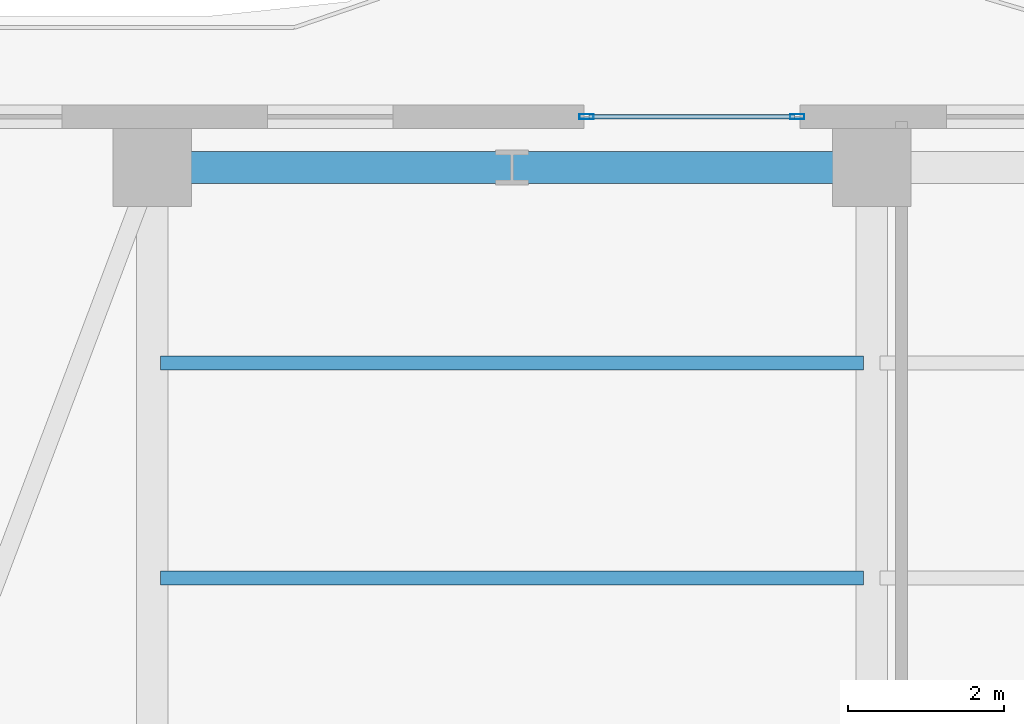
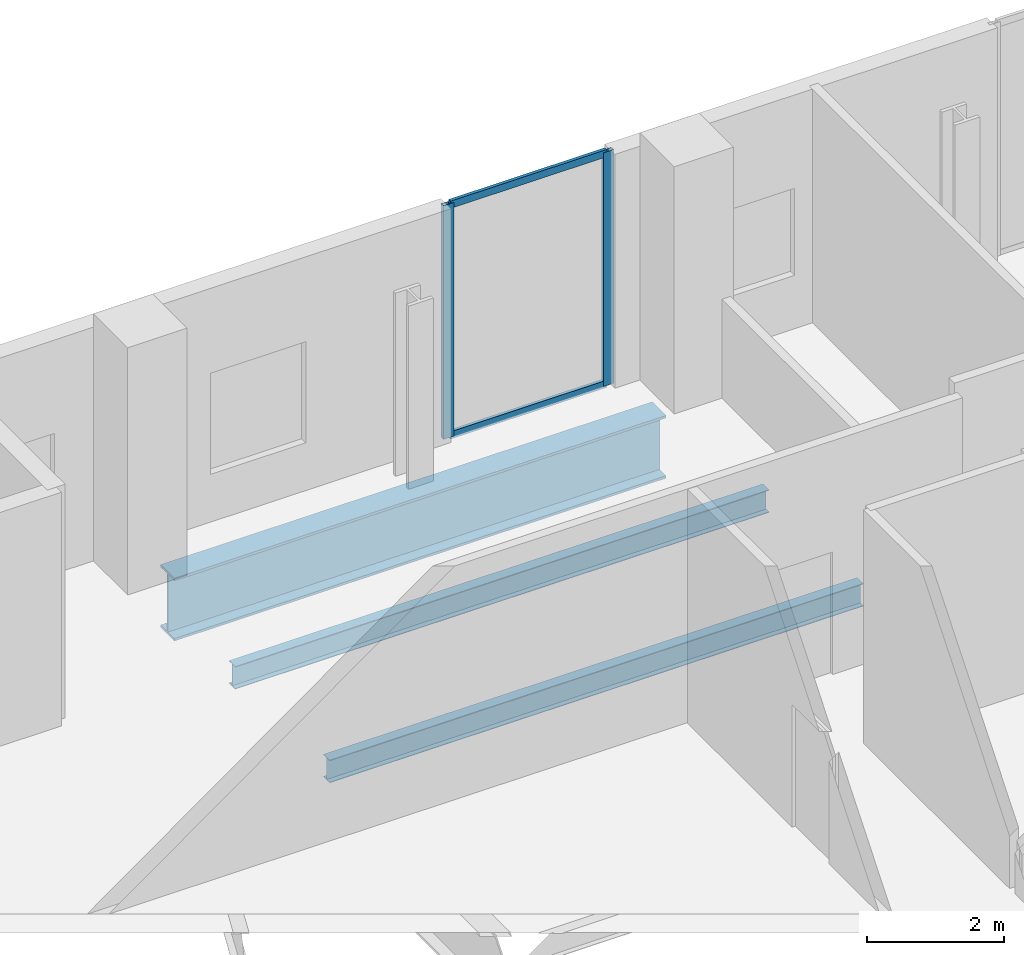
# One storey, part 12 of 24: 4 members, 3 beams, 1 element without a shape of its own.
"""IFC4 building model written with IfcOpenShell, lengths in metres."""

from ifc_helpers import new_model, si_unit, direction, frame, origin, origin_2d, place, context, subcontext, project, spatial, hollow_rectangle, i_section, extrude, material, layer, layer_set, material_profile, profile_set, type_object, element, aggregate, save


model = new_model("IFC4")

# Units and contexts
model_context = context("Model", 3, precision=1e-05, world=origin(), true_north=direction((0.0, 1.0)))
body_context = subcontext(model_context, "Body", "Model", "MODEL_VIEW")
ifc_project = project(units=[si_unit("LENGTHUNIT", "METRE"), si_unit("AREAUNIT", "SQUARE_METRE"), si_unit("VOLUMEUNIT", "CUBIC_METRE"), si_unit("PLANEANGLEUNIT", "RADIAN"), si_unit("MASSUNIT", "GRAM", prefix="KILO")], contexts=[model_context])

# Site, building, storey
site_placement = place(None, origin())
site = spatial("IfcSite", under=ifc_project, at=site_placement, CompositionType="ELEMENT")
building_placement = place(site_placement, origin())
building = spatial("IfcBuilding", under=site, at=building_placement, Name="Zuhayl Quay Hotel", CompositionType="ELEMENT")
storey_placement = place(building_placement, frame((0.0, 0.0, 292.85009765625)))
storey = spatial("IfcBuildingStorey", under=building, at=storey_placement, Name="L74", CompositionType="ELEMENT", Elevation=292.85009765625)

# Beams
ifc_material_1 = material(Name="Steel ASTM A992 Grade 50", Category="steel")
ifc_material_profile_1 = material_profile(ifc_material_1, i_section(OverallWidth=0.177978515625, OverallDepth=0.404052734375, WebThickness=0.007568359375, FlangeThickness=0.010986328125, at=origin_2d()), Name="W16X36")
ifc_profile_set_1 = profile_set([ifc_material_profile_1], Name="Steel ASTM A992 Grade 50")
beam_type_1 = type_object("IfcBeamType", Name="BM_J3_W16X36", PredefinedType="JOIST", material=ifc_profile_set_1)
for number, where, z_axis, x_axis, name in (
    (1, (-13.694091796875, 33.10009765625, -0.422119140625), (1.0, 0.0, 0.0), (0.0, 1.0, 0.0), "L74 Floor Beam FJ_L74_7_1"),
    (2, (-13.694091796875, 35.85009765625, -0.422119140625), (1.0, 0.0, 0.0), (0.0, 1.0, 0.0), "L74 Floor Beam FJ_L74_8_1"),
):
    element("IfcBeam", number, at=place(storey_placement, frame(where, z_axis=z_axis, x_axis=x_axis)), inside=storey, type_object=beam_type_1, Name=name, PredefinedType="JOIST", context=body_context, shape_type="SweptSolid", body=[
        extrude(i_section(OverallWidth=0.177978515625, OverallDepth=0.404052734375, WebThickness=0.007568359375, FlangeThickness=0.010986328125, at=origin_2d()), origin(), (0.0, 0.0, 1.0), 8.988037109375),
    ])
ifc_material_2 = material(Name="Steel ASTM A913 Grade 65", Category="steel")
ifc_material_profile_2 = material_profile(ifc_material_2, i_section(OverallWidth=0.404052734375, OverallDepth=1.117919921875, WebThickness=0.026123046875, FlangeThickness=0.044921875, at=origin_2d()), Name="W44X335")
ifc_profile_set_2 = profile_set([ifc_material_profile_2], Name="Steel ASTM A913 Grade 65")
beam_type_2 = type_object("IfcBeamType", Name="BM_TG1_W44X335", PredefinedType="BEAM", material=ifc_profile_set_2)
beam_placement = place(storey_placement, frame((-5.06005859375, 38.35009765625, -0.779052734375), z_axis=(-1.0, 0.0, 0.0), x_axis=(0.0, -1.0, 0.0)))
element("IfcBeam", 3, at=beam_placement, inside=storey, type_object=beam_type_2, Name="L74 Floor Beam RG_L74_09", PredefinedType="BEAM", context=body_context, shape_type="SweptSolid", body=[
    extrude(i_section(OverallWidth=0.404052734375, OverallDepth=1.117919921875, WebThickness=0.026123046875, FlangeThickness=0.044921875, at=origin_2d()), origin(), (0.0, 0.0, 1.0), 8.280029296875),
])

# Curtain wall, members
ifc_material_3 = material(Name="Anodised Aluminium 6063-T6", Category="aluminium")
ifc_layer = layer(ifc_material_3, 0.169921875, Name="Anodised Aluminium 6063-T6", Category="aluminium")
ifc_layer_set = layer_set([ifc_layer], Name="Anodised Aluminium 6063-T6")
curtain_wall_type = type_object("IfcCurtainWallType", Name="CW_SYS_Z4", PredefinedType="USERDEFINED", material=ifc_layer_set)
curtain_wall_placement = place(storey_placement, origin())
curtain_wall = element("IfcCurtainWall", 4, at=curtain_wall_placement, inside=storey, type_object=curtain_wall_type, Name="L74 Curtain Wall ENV_L74_N_CW1", ObjectType="UNITISED CURTAIN WALL", PredefinedType="USERDEFINED")
ifc_material_4 = material(Name="Black-anodised aluminium 6063-T6", Category="aluminium")
ifc_material_profile_3 = material_profile(ifc_material_4, hollow_rectangle(XDim=0.06494140625, YDim=0.179931640625, WallThickness=0.00341796875, at=origin_2d()), Name="ALU180X65")
ifc_profile_set_3 = profile_set([ifc_material_profile_3], Name="Black-anodised aluminium 6063-T6")
member_type_1 = type_object("IfcMemberType", Name="MB_CW_MUL_180", PredefinedType="MULLION", material=ifc_profile_set_3)
member_1_placement = place(storey_placement, frame((-8.24755859375, 39.0, 0.0), z_axis=(0.0, 0.0, 1.0), x_axis=(0.0, 1.0, 0.0)))
member_1 = element("IfcMember", 5, at=member_1_placement, type_object=member_type_1, Name="CW-Z4 mullion 1", PredefinedType="MULLION", context=body_context, shape_type="SweptSolid", body=[
    extrude(hollow_rectangle(XDim=0.06494140625, YDim=0.179931640625, WallThickness=0.00341796875, at=origin_2d()), origin(), (0.0, 0.0, 1.0), 4.159912109375),
])
member_2_placement = place(storey_placement, frame((-5.552490234375, 39.0, 0.0), z_axis=(0.0, 0.0, 1.0), x_axis=(0.0, 1.0, 0.0)))
member_2 = element("IfcMember", 6, at=member_2_placement, type_object=member_type_1, Name="CW-Z4 mullion 2", PredefinedType="MULLION", context=body_context, shape_type="SweptSolid", body=[
    extrude(hollow_rectangle(XDim=0.06494140625, YDim=0.179931640625, WallThickness=0.00341796875, at=origin_2d()), origin(), (0.0, 0.0, 1.0), 4.159912109375),
])
ifc_material_profile_4 = material_profile(ifc_material_4, hollow_rectangle(XDim=0.054931640625, YDim=0.1298828125, WallThickness=0.0029296875, at=origin_2d()), Name="ALU130X55")
ifc_profile_set_4 = profile_set([ifc_material_profile_4], Name="Black-anodised aluminium 6063-T6")
member_type_2 = type_object("IfcMemberType", Name="MB_CW_TRN_130", PredefinedType="USERDEFINED", material=ifc_profile_set_4)
member_3_placement = place(storey_placement, frame((-8.215087890625, 39.0, 0.02734375), z_axis=(1.0, 0.0, 0.0), x_axis=(0.0, 1.0, 0.0)))
member_3 = element("IfcMember", 7, at=member_3_placement, type_object=member_type_2, Name="CW-Z4 transom 1.1", ObjectType="TRANSOM", PredefinedType="USERDEFINED", context=body_context, shape_type="SweptSolid", body=[
    extrude(hollow_rectangle(XDim=0.054931640625, YDim=0.1298828125, WallThickness=0.0029296875, at=origin_2d()), origin(), (0.0, 0.0, 1.0), 2.630126953125),
])
member_4_placement = place(storey_placement, frame((-8.215087890625, 39.0, 4.13232421875), z_axis=(1.0, 0.0, 0.0), x_axis=(0.0, 1.0, 0.0)))
member_4 = element("IfcMember", 8, at=member_4_placement, type_object=member_type_2, Name="CW-Z4 transom 1.2", ObjectType="TRANSOM", PredefinedType="USERDEFINED", context=body_context, shape_type="SweptSolid", body=[
    extrude(hollow_rectangle(XDim=0.054931640625, YDim=0.1298828125, WallThickness=0.0029296875, at=origin_2d()), origin(), (0.0, 0.0, 1.0), 2.630126953125),
])
aggregate(curtain_wall, [member_1, member_2, member_3, member_4])

save(model, "model.ifc")
